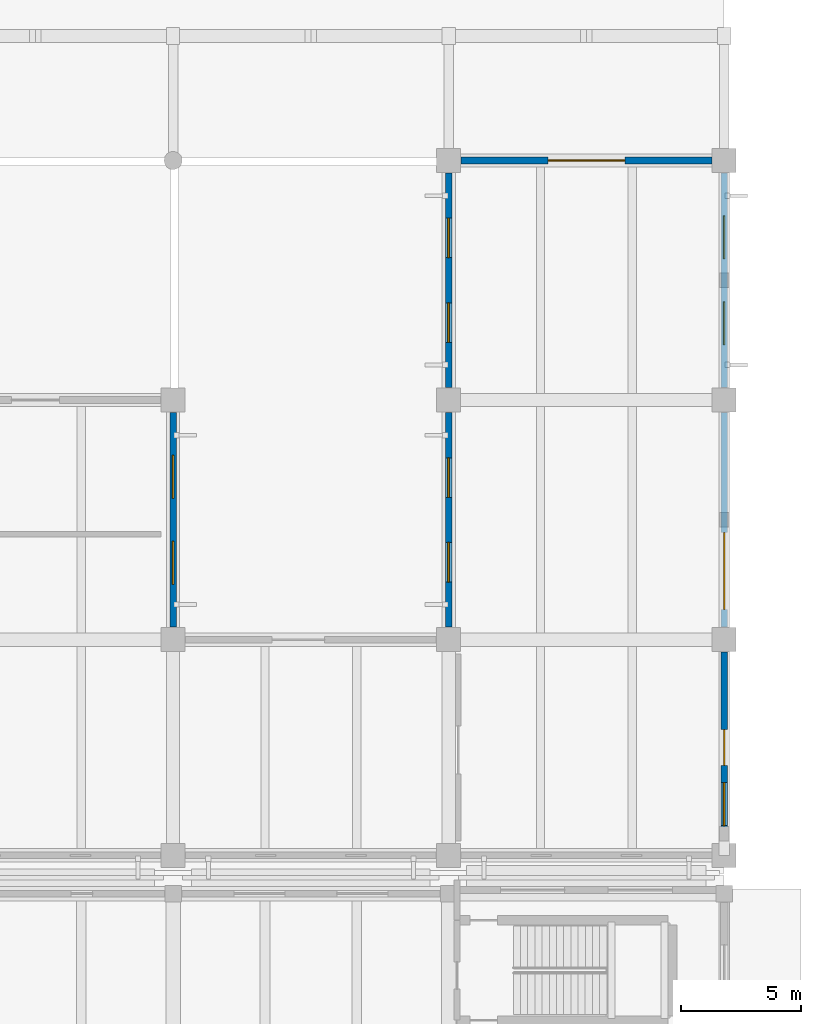
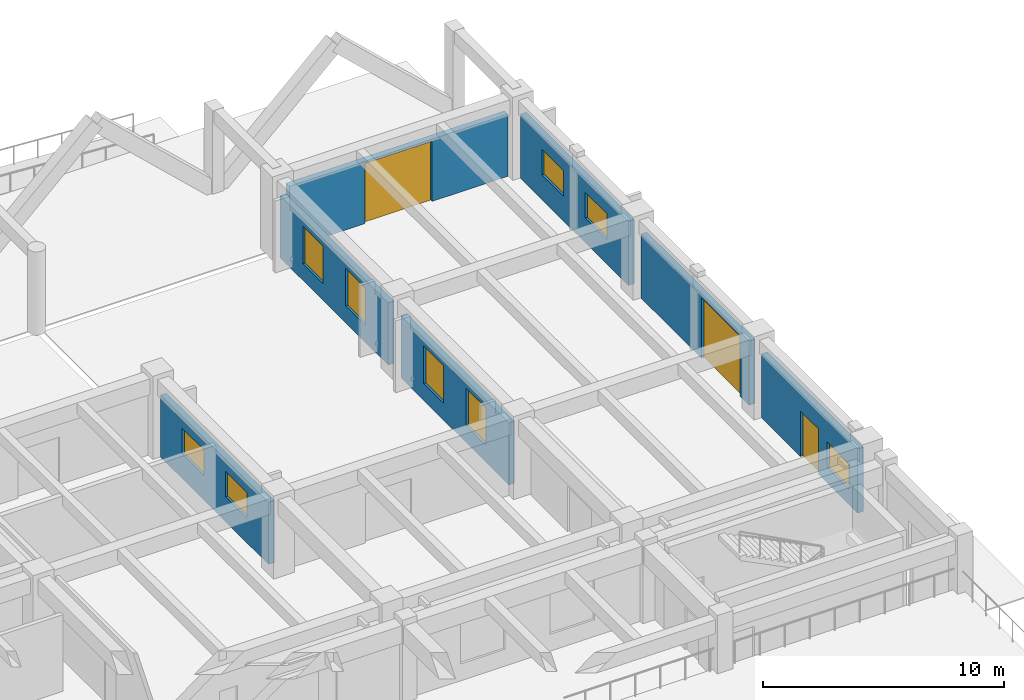
# One storey, part 92 of 109: 9 windows, 7 walls, 3 doors, 12 openings.
"""IFC4 building model written with IfcOpenShell, lengths in metres."""

from ifc_helpers import new_model, si_unit, direction, frame, frame_2d, origin, place, context, subcontext, project, spatial, rectangle, extrude, material, layer, layer_set, type_object, element, fill, save


model = new_model("IFC4")

# Units and contexts
model_context = context("Model", 3, precision=1e-05, world=origin(), true_north=direction((0.0, 1.0)))
body_context = subcontext(model_context, "Body", "Model", "MODEL_VIEW")
ifc_project = project(units=[si_unit("LENGTHUNIT", "METRE"), si_unit("AREAUNIT", "SQUARE_METRE"), si_unit("VOLUMEUNIT", "CUBIC_METRE"), si_unit("PLANEANGLEUNIT", "RADIAN"), si_unit("MASSUNIT", "GRAM", prefix="KILO")], contexts=[model_context])

# Site, building, storey
site_placement = place(None, origin())
site = spatial("IfcSite", under=ifc_project, at=site_placement, CompositionType="ELEMENT")
building_placement = place(site_placement, origin())
building = spatial("IfcBuilding", under=site, at=building_placement, Name="Ologun Quay Terminus", CompositionType="ELEMENT")
storey_placement = place(building_placement, origin())
storey = spatial("IfcBuildingStorey", under=building, at=storey_placement, Name="L00", CompositionType="ELEMENT", Elevation=0.0)

# Wall, openings, door, window
ifc_material_1 = material(Name="Concrete C40/50", Category="concrete")
ifc_layer = layer(ifc_material_1, 0.280029296875)
ifc_layer_set = layer_set([ifc_layer], Name="Concrete C40/50")
wall_type = type_object("IfcWallType", Name="Courtyard Wing Spandrel Concrete Wall 280", PredefinedType="SOLIDWALL", material=ifc_layer_set)
wall_1_placement = place(storey_placement, frame((184.0, 86.320068359375, 0.0), z_axis=(0.0, 0.0, 1.0), x_axis=(0.0, 1.0, 0.0)))
wall_1 = element("IfcWall", 1, at=wall_1_placement, inside=storey, type_object=wall_type, Name="EW-02 Facade Wall WEW-EW-L00-7", PredefinedType="SOLIDWALL", context=body_context, shape_type="SweptSolid", body=[
    extrude(rectangle(XDim=7.9599609375, YDim=0.280029296875, at=frame_2d((3.97998046875, 0.0))), origin(), (0.0, 0.0, 1.0), 3.25),
])
opening_1_placement = place(wall_1_placement, frame((3.22998046875, 0.0, 0.0)))
opening_1 = element("IfcOpeningElement", 2, at=opening_1_placement, cuts=wall_1, Name="Opening ED-021", PredefinedType="OPENING", context=body_context, shape_type="SweptSolid", body=[
    extrude(rectangle(XDim=1.5, YDim=2.300048828125, at=frame_2d((0.75, 1.14990234375))), frame((0.0, 0.14990234375, 0.0), z_axis=(0.0, -1.0, 0.0), x_axis=(1.0, 0.0, 0.0)), (0.0, 0.0, 1.0), 0.300048828125),
])
opening_2_placement = place(wall_1_placement, frame((0.715087890625, 0.0, 0.780029296875)))
opening_2 = element("IfcOpeningElement", 3, at=opening_2_placement, cuts=wall_1, Name="Opening WN-343", PredefinedType="OPENING", context=body_context, shape_type="SweptSolid", body=[
    extrude(rectangle(XDim=1.800048828125, YDim=1.300048828125, at=frame_2d((0.89990234375, 0.64990234375))), frame((0.0, 0.14990234375, 0.0), z_axis=(0.0, -1.0, 0.0), x_axis=(1.0, 0.0, 0.0)), (0.0, 0.0, 1.0), 0.300048828125),
])
ifc_material_2 = material(Name="Steel S355", Category="steel")
door_type_1 = type_object("IfcDoorType", Name="Baggage Yard Service Door 1500x2300", OperationType="DOUBLE_DOOR_SINGLE_SWING", PredefinedType="DOOR", material=ifc_material_2)
door_1_placement = place(opening_1_placement, frame((0.75, 0.0, 0.0), z_axis=(0.0, 0.0, 1.0), x_axis=(-1.0, 0.0, 0.0)))
door_1 = element("IfcDoor", 4, at=door_1_placement, inside=storey, type_object=door_type_1, Name="D-08 Exterior Door ED-021", OperationType="DOUBLE_DOOR_SINGLE_SWING", OverallHeight=2.300048828125, OverallWidth=1.5, PredefinedType="DOOR", context=body_context, shape_type="SweptSolid", body=[
    extrude(rectangle(XDim=1.5, YDim=2.300048828125, at=frame_2d((0.0, 1.14990234375))), frame((0.0, 0.02490234375, 0.0), z_axis=(0.0, -1.0, 0.0), x_axis=(1.0, 0.0, 0.0)), (0.0, 0.0, 1.0), 0.050048828125),
])
fill(opening_1, door_1)
ifc_material_3 = material(Name="Glass", Category="glass")
window_type_1 = type_object("IfcWindowType", Name="Plant Louvred Acoustic Window 1800x1300", PartitioningType="SINGLE_PANEL", PredefinedType="WINDOW", material=ifc_material_3)
window_1_placement = place(opening_2_placement, origin())
window_1 = element("IfcWindow", 5, at=window_1_placement, inside=storey, type_object=window_type_1, Name="W-38 Window WN-343", OverallHeight=1.300048828125, OverallWidth=1.800048828125, PartitioningType="SINGLE_PANEL", PredefinedType="WINDOW", context=body_context, shape_type="SweptSolid", body=[
    extrude(rectangle(XDim=1.800048828125, YDim=1.300048828125, at=frame_2d((0.89990234375, 0.64990234375))), frame((0.0, 0.030029296875, 0.0), z_axis=(0.0, -1.0, 0.0), x_axis=(1.0, 0.0, 0.0)), (0.0, 0.0, 1.0), 0.06005859375),
])
fill(opening_2, window_1)

# Wall, opening, door
wall_2_placement = place(storey_placement, frame((184.0, 95.320068359375, 0.0), z_axis=(0.0, 0.0, 1.0), x_axis=(0.0, 1.0, 0.0)))
wall_2 = element("IfcWall", 6, at=wall_2_placement, inside=storey, type_object=wall_type, Name="EW-02 Facade Wall WEW-EW-L00-8", PredefinedType="SOLIDWALL", context=body_context, shape_type="SweptSolid", body=[
    extrude(rectangle(XDim=8.9599609375, YDim=0.280029296875, at=frame_2d((4.47998046875, 0.0))), origin(), (0.0, 0.0, 1.0), 3.25),
])
opening_3_placement = place(wall_2_placement, frame((0.75, 0.0, 0.0)))
opening_3 = element("IfcOpeningElement", 7, at=opening_3_placement, cuts=wall_2, Name="Opening ED-022", PredefinedType="OPENING", context=body_context, shape_type="SweptSolid", body=[
    extrude(rectangle(XDim=3.199951171875, YDim=3.050048828125, at=frame_2d((1.60009765625, 1.52490234375))), frame((0.0, 0.14990234375, 0.0), z_axis=(0.0, -1.0, 0.0), x_axis=(1.0, 0.0, 0.0)), (0.0, 0.0, 1.0), 0.300048828125),
])
ifc_material_4 = material(Name="Steel S355", Category="steel")
door_type_2 = type_object("IfcDoorType", Name="Goods Loading Bay Roller Shutter Gate 3200x3050", OperationType="ROLLINGUP", PredefinedType="GATE", material=ifc_material_4)
door_2_placement = place(opening_3_placement, origin())
door_2 = element("IfcDoor", 8, at=door_2_placement, inside=storey, type_object=door_type_2, Name="D-13 Exterior Door ED-022", OperationType="ROLLINGUP", OverallHeight=3.050048828125, OverallWidth=3.199951171875, PredefinedType="GATE", context=body_context, shape_type="SweptSolid", body=[
    extrude(rectangle(XDim=3.199951171875, YDim=3.050048828125, at=frame_2d((1.60009765625, 1.52490234375))), frame((0.0, 0.02490234375, 0.0), z_axis=(0.0, -1.0, 0.0), x_axis=(1.0, 0.0, 0.0)), (0.0, 0.0, 1.0), 0.050048828125),
])
fill(opening_3, door_2)

# Wall, openings, windows
wall_3_placement = place(storey_placement, frame((184.0, 105.320068359375, 0.0), z_axis=(0.0, 0.0, 1.0), x_axis=(0.0, 1.0, 0.0)))
wall_3 = element("IfcWall", 9, at=wall_3_placement, inside=storey, type_object=wall_type, Name="EW-02 Facade Wall WEW-EW-L00-9", PredefinedType="SOLIDWALL", context=body_context, shape_type="SweptSolid", body=[
    extrude(rectangle(XDim=8.9599609375, YDim=0.280029296875, at=frame_2d((4.47998046875, 0.0))), origin(), (0.0, 0.0, 1.0), 3.25),
])
opening_4_placement = place(wall_3_placement, frame((1.78662109375, 0.0, 1.25)))
opening_4 = element("IfcOpeningElement", 10, at=opening_4_placement, cuts=wall_3, Name="Opening WN-344", PredefinedType="OPENING", context=body_context, shape_type="SweptSolid", body=[
    extrude(rectangle(XDim=1.800048828125, YDim=1.300048828125, at=frame_2d((0.89990234375, 0.64990234375))), frame((0.0, 0.14990234375, 0.0), z_axis=(0.0, -1.0, 0.0), x_axis=(1.0, 0.0, 0.0)), (0.0, 0.0, 1.0), 0.300048828125),
])
opening_5_placement = place(wall_3_placement, frame((5.373291015625, 0.0, 1.25)))
opening_5 = element("IfcOpeningElement", 11, at=opening_5_placement, cuts=wall_3, Name="Opening WN-345", PredefinedType="OPENING", context=body_context, shape_type="SweptSolid", body=[
    extrude(rectangle(XDim=1.800048828125, YDim=1.300048828125, at=frame_2d((0.89990234375, 0.64990234375))), frame((0.0, 0.14990234375, 0.0), z_axis=(0.0, -1.0, 0.0), x_axis=(1.0, 0.0, 0.0)), (0.0, 0.0, 1.0), 0.300048828125),
])
window_2_placement = place(opening_4_placement, origin())
window_2 = element("IfcWindow", 12, at=window_2_placement, inside=storey, type_object=window_type_1, Name="W-38 Window WN-344", OverallHeight=1.300048828125, OverallWidth=1.800048828125, PartitioningType="SINGLE_PANEL", PredefinedType="WINDOW", context=body_context, shape_type="SweptSolid", body=[
    extrude(rectangle(XDim=1.800048828125, YDim=1.300048828125, at=frame_2d((0.89990234375, 0.64990234375))), frame((0.0, 0.030029296875, 0.0), z_axis=(0.0, -1.0, 0.0), x_axis=(1.0, 0.0, 0.0)), (0.0, 0.0, 1.0), 0.06005859375),
])
fill(opening_4, window_2)
window_3_placement = place(opening_5_placement, origin())
window_3 = element("IfcWindow", 13, at=window_3_placement, inside=storey, type_object=window_type_1, Name="W-38 Window WN-345", OverallHeight=1.300048828125, OverallWidth=1.800048828125, PartitioningType="SINGLE_PANEL", PredefinedType="WINDOW", context=body_context, shape_type="SweptSolid", body=[
    extrude(rectangle(XDim=1.800048828125, YDim=1.300048828125, at=frame_2d((0.89990234375, 0.64990234375))), frame((0.0, 0.030029296875, 0.0), z_axis=(0.0, -1.0, 0.0), x_axis=(1.0, 0.0, 0.0)), (0.0, 0.0, 1.0), 0.06005859375),
])
fill(opening_5, window_3)

# Wall, opening, door
wall_4_placement = place(storey_placement, frame((173.02001953125, 114.800048828125, 0.0), z_axis=(0.0, 0.0, 1.0), x_axis=(1.0, 0.0, 0.0)))
wall_4 = element("IfcWall", 14, at=wall_4_placement, inside=storey, type_object=wall_type, Name="EW-02 Facade Wall WEW-EW-L00-10", PredefinedType="SOLIDWALL", context=body_context, shape_type="SweptSolid", body=[
    extrude(rectangle(XDim=10.4599609375, YDim=0.280029296875, at=frame_2d((5.22998046875, 0.0))), origin(), (0.0, 0.0, 1.0), 3.14990234375),
])
opening_6_placement = place(wall_4_placement, frame((3.6298828125, 0.0, 0.0)))
opening_6 = element("IfcOpeningElement", 15, at=opening_6_placement, cuts=wall_4, Name="Opening ED-023", PredefinedType="OPENING", context=body_context, shape_type="SweptSolid", body=[
    extrude(rectangle(XDim=3.199951171875, YDim=3.050048828125, at=frame_2d((1.60009765625, 1.52490234375))), frame((0.0, 0.14990234375, 0.0), z_axis=(0.0, -1.0, 0.0), x_axis=(1.0, 0.0, 0.0)), (0.0, 0.0, 1.0), 0.300048828125),
])
door_3_placement = place(opening_6_placement, origin())
door_3 = element("IfcDoor", 16, at=door_3_placement, inside=storey, type_object=door_type_2, Name="D-13 Exterior Door ED-023", OperationType="ROLLINGUP", OverallHeight=3.050048828125, OverallWidth=3.199951171875, PredefinedType="GATE", context=body_context, shape_type="SweptSolid", body=[
    extrude(rectangle(XDim=3.199951171875, YDim=3.050048828125, at=frame_2d((1.60009765625, 1.52490234375))), frame((0.0, 0.02490234375, 0.0), z_axis=(0.0, -1.0, 0.0), x_axis=(1.0, 0.0, 0.0)), (0.0, 0.0, 1.0), 0.050048828125),
])
fill(opening_6, door_3)

# Wall, openings, windows
wall_5_placement = place(storey_placement, frame((172.5, 95.320068359375, 0.0), z_axis=(0.0, 0.0, 1.0), x_axis=(0.0, 1.0, 0.0)))
wall_5 = element("IfcWall", 17, at=wall_5_placement, inside=storey, type_object=wall_type, Name="EW-02 Facade Wall WEW-EW-L00-11", PredefinedType="SOLIDWALL", context=body_context, shape_type="SweptSolid", body=[
    extrude(rectangle(XDim=8.9599609375, YDim=0.280029296875, at=frame_2d((4.47998046875, 0.0))), origin(), (0.0, 0.0, 1.0), 3.14990234375),
])
opening_7_placement = place(wall_5_placement, frame((1.88671875, 0.0, 0.85009765625)))
opening_7 = element("IfcOpeningElement", 18, at=opening_7_placement, cuts=wall_5, Name="Opening WN-346", PredefinedType="OPENING", context=body_context, shape_type="SweptSolid", body=[
    extrude(rectangle(XDim=1.64990234375, YDim=1.89990234375, at=frame_2d((0.824951171875, 0.949951171875))), frame((0.0, 0.14990234375, 0.0), z_axis=(0.0, -1.0, 0.0), x_axis=(1.0, 0.0, 0.0)), (0.0, 0.0, 1.0), 0.300048828125),
])
opening_8_placement = place(wall_5_placement, frame((5.42333984375, 0.0, 0.85009765625)))
opening_8 = element("IfcOpeningElement", 19, at=opening_8_placement, cuts=wall_5, Name="Opening WN-347", PredefinedType="OPENING", context=body_context, shape_type="SweptSolid", body=[
    extrude(rectangle(XDim=1.64990234375, YDim=1.89990234375, at=frame_2d((0.824951171875, 0.949951171875))), frame((0.0, 0.14990234375, 0.0), z_axis=(0.0, -1.0, 0.0), x_axis=(1.0, 0.0, 0.0)), (0.0, 0.0, 1.0), 0.300048828125),
])
ifc_material_5 = material(Name="Glass", Category="glass")
window_type_2 = type_object("IfcWindowType", Name="Operations Admin Solar Window 1650x1900", PartitioningType="SINGLE_PANEL", PredefinedType="WINDOW", material=ifc_material_5)
window_4_placement = place(opening_7_placement, origin())
window_4 = element("IfcWindow", 20, at=window_4_placement, inside=storey, type_object=window_type_2, Name="W-21 Window WN-346", OverallHeight=1.89990234375, OverallWidth=1.64990234375, PartitioningType="SINGLE_PANEL", PredefinedType="WINDOW", context=body_context, shape_type="SweptSolid", body=[
    extrude(rectangle(XDim=1.64990234375, YDim=1.89990234375, at=frame_2d((0.824951171875, 0.949951171875))), frame((0.0, 0.030029296875, 0.0), z_axis=(0.0, -1.0, 0.0), x_axis=(1.0, 0.0, 0.0)), (0.0, 0.0, 1.0), 0.06005859375),
])
fill(opening_7, window_4)
window_5_placement = place(opening_8_placement, origin())
window_5 = element("IfcWindow", 21, at=window_5_placement, inside=storey, type_object=window_type_2, Name="W-21 Window WN-347", OverallHeight=1.89990234375, OverallWidth=1.64990234375, PartitioningType="SINGLE_PANEL", PredefinedType="WINDOW", context=body_context, shape_type="SweptSolid", body=[
    extrude(rectangle(XDim=1.64990234375, YDim=1.89990234375, at=frame_2d((0.824951171875, 0.949951171875))), frame((0.0, 0.030029296875, 0.0), z_axis=(0.0, -1.0, 0.0), x_axis=(1.0, 0.0, 0.0)), (0.0, 0.0, 1.0), 0.06005859375),
])
fill(opening_8, window_5)

wall_6_placement = place(storey_placement, frame((172.5, 105.320068359375, 0.0), z_axis=(0.0, 0.0, 1.0), x_axis=(0.0, 1.0, 0.0)))
wall_6 = element("IfcWall", 22, at=wall_6_placement, inside=storey, type_object=wall_type, Name="EW-02 Facade Wall WEW-EW-L00-12", PredefinedType="SOLIDWALL", context=body_context, shape_type="SweptSolid", body=[
    extrude(rectangle(XDim=8.9599609375, YDim=0.280029296875, at=frame_2d((4.47998046875, 0.0))), origin(), (0.0, 0.0, 1.0), 3.14990234375),
])
opening_9_placement = place(wall_6_placement, frame((1.88671875, 0.0, 0.85009765625)))
opening_9 = element("IfcOpeningElement", 23, at=opening_9_placement, cuts=wall_6, Name="Opening WN-348", PredefinedType="OPENING", context=body_context, shape_type="SweptSolid", body=[
    extrude(rectangle(XDim=1.64990234375, YDim=1.89990234375, at=frame_2d((0.824951171875, 0.949951171875))), frame((0.0, 0.14990234375, 0.0), z_axis=(0.0, -1.0, 0.0), x_axis=(1.0, 0.0, 0.0)), (0.0, 0.0, 1.0), 0.300048828125),
])
opening_10_placement = place(wall_6_placement, frame((5.42333984375, 0.0, 0.85009765625)))
opening_10 = element("IfcOpeningElement", 24, at=opening_10_placement, cuts=wall_6, Name="Opening WN-349", PredefinedType="OPENING", context=body_context, shape_type="SweptSolid", body=[
    extrude(rectangle(XDim=1.64990234375, YDim=1.89990234375, at=frame_2d((0.824951171875, 0.949951171875))), frame((0.0, 0.14990234375, 0.0), z_axis=(0.0, -1.0, 0.0), x_axis=(1.0, 0.0, 0.0)), (0.0, 0.0, 1.0), 0.300048828125),
])
window_6_placement = place(opening_9_placement, origin())
window_6 = element("IfcWindow", 25, at=window_6_placement, inside=storey, type_object=window_type_2, Name="W-21 Window WN-348", OverallHeight=1.89990234375, OverallWidth=1.64990234375, PartitioningType="SINGLE_PANEL", PredefinedType="WINDOW", context=body_context, shape_type="SweptSolid", body=[
    extrude(rectangle(XDim=1.64990234375, YDim=1.89990234375, at=frame_2d((0.824951171875, 0.949951171875))), frame((0.0, 0.030029296875, 0.0), z_axis=(0.0, -1.0, 0.0), x_axis=(1.0, 0.0, 0.0)), (0.0, 0.0, 1.0), 0.06005859375),
])
fill(opening_9, window_6)
window_7_placement = place(opening_10_placement, origin())
window_7 = element("IfcWindow", 26, at=window_7_placement, inside=storey, type_object=window_type_2, Name="W-21 Window WN-349", OverallHeight=1.89990234375, OverallWidth=1.64990234375, PartitioningType="SINGLE_PANEL", PredefinedType="WINDOW", context=body_context, shape_type="SweptSolid", body=[
    extrude(rectangle(XDim=1.64990234375, YDim=1.89990234375, at=frame_2d((0.824951171875, 0.949951171875))), frame((0.0, 0.030029296875, 0.0), z_axis=(0.0, -1.0, 0.0), x_axis=(1.0, 0.0, 0.0)), (0.0, 0.0, 1.0), 0.06005859375),
])
fill(opening_10, window_7)

wall_7_placement = place(storey_placement, frame((161.0, 95.320068359375, 0.0), z_axis=(0.0, 0.0, 1.0), x_axis=(0.0, 1.0, 0.0)))
wall_7 = element("IfcWall", 27, at=wall_7_placement, inside=storey, type_object=wall_type, Name="EW-02 Facade Wall WEW-EW-L00-14", PredefinedType="SOLIDWALL", context=body_context, shape_type="SweptSolid", body=[
    extrude(rectangle(XDim=8.9599609375, YDim=0.280029296875, at=frame_2d((4.47998046875, 0.0))), origin(), (0.0, 0.0, 1.0), 3.14990234375),
])
opening_11_placement = place(wall_7_placement, frame((1.78662109375, 0.0, 1.25)))
opening_11 = element("IfcOpeningElement", 28, at=opening_11_placement, cuts=wall_7, Name="Opening WN-350", PredefinedType="OPENING", context=body_context, shape_type="SweptSolid", body=[
    extrude(rectangle(XDim=1.800048828125, YDim=1.300048828125, at=frame_2d((0.89990234375, 0.64990234375))), frame((0.0, 0.14990234375, 0.0), z_axis=(0.0, -1.0, 0.0), x_axis=(1.0, 0.0, 0.0)), (0.0, 0.0, 1.0), 0.300048828125),
])
opening_12_placement = place(wall_7_placement, frame((5.373291015625, 0.0, 1.25)))
opening_12 = element("IfcOpeningElement", 29, at=opening_12_placement, cuts=wall_7, Name="Opening WN-351", PredefinedType="OPENING", context=body_context, shape_type="SweptSolid", body=[
    extrude(rectangle(XDim=1.800048828125, YDim=1.300048828125, at=frame_2d((0.89990234375, 0.64990234375))), frame((0.0, 0.14990234375, 0.0), z_axis=(0.0, -1.0, 0.0), x_axis=(1.0, 0.0, 0.0)), (0.0, 0.0, 1.0), 0.300048828125),
])
window_8_placement = place(opening_11_placement, origin())
window_8 = element("IfcWindow", 30, at=window_8_placement, inside=storey, type_object=window_type_1, Name="W-38 Window WN-350", OverallHeight=1.300048828125, OverallWidth=1.800048828125, PartitioningType="SINGLE_PANEL", PredefinedType="WINDOW", context=body_context, shape_type="SweptSolid", body=[
    extrude(rectangle(XDim=1.800048828125, YDim=1.300048828125, at=frame_2d((0.89990234375, 0.64990234375))), frame((0.0, 0.030029296875, 0.0), z_axis=(0.0, -1.0, 0.0), x_axis=(1.0, 0.0, 0.0)), (0.0, 0.0, 1.0), 0.06005859375),
])
fill(opening_11, window_8)
window_9_placement = place(opening_12_placement, origin())
window_9 = element("IfcWindow", 31, at=window_9_placement, inside=storey, type_object=window_type_1, Name="W-38 Window WN-351", OverallHeight=1.300048828125, OverallWidth=1.800048828125, PartitioningType="SINGLE_PANEL", PredefinedType="WINDOW", context=body_context, shape_type="SweptSolid", body=[
    extrude(rectangle(XDim=1.800048828125, YDim=1.300048828125, at=frame_2d((0.89990234375, 0.64990234375))), frame((0.0, 0.030029296875, 0.0), z_axis=(0.0, -1.0, 0.0), x_axis=(1.0, 0.0, 0.0)), (0.0, 0.0, 1.0), 0.06005859375),
])
fill(opening_12, window_9)

save(model, "model.ifc")
